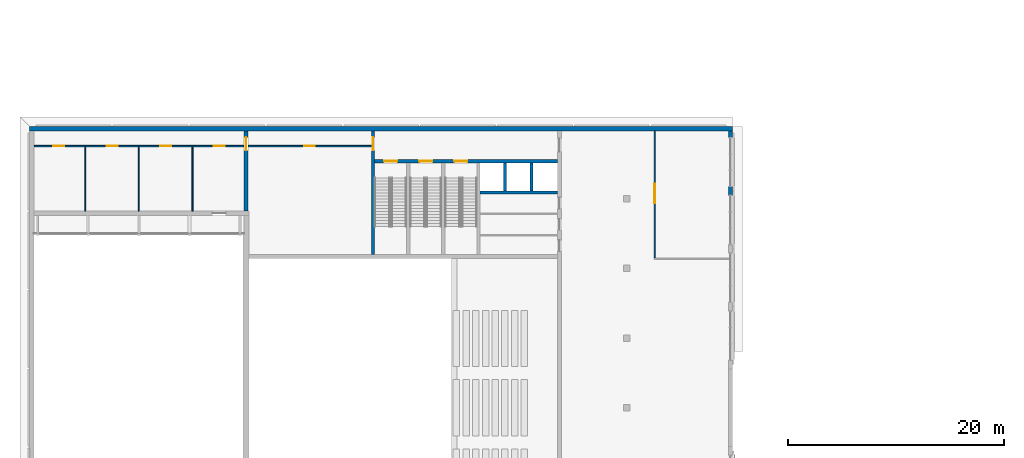
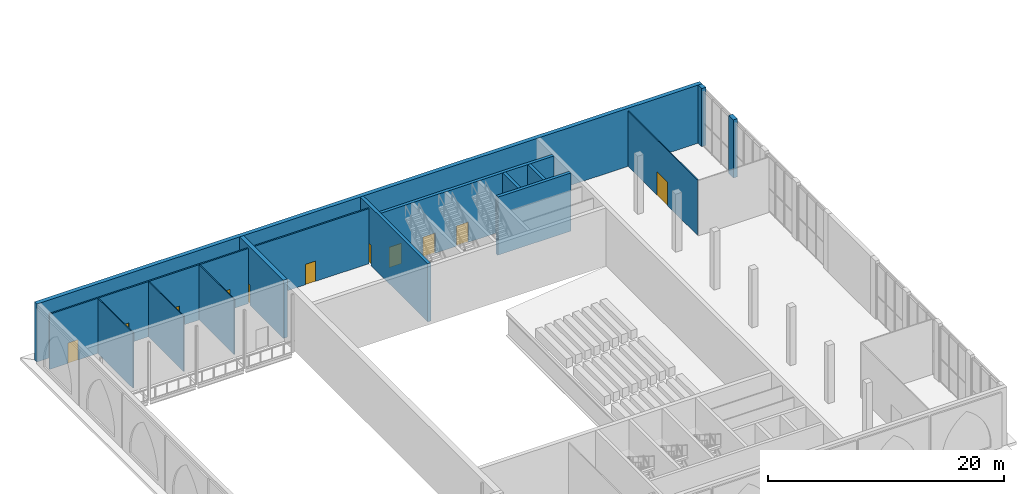
# One storey, part 21 of 74: 15 walls, 11 doors, 11 openings.
"""IFC4 building model written with IfcOpenShell, lengths in metres."""

import ifcopenshell
import ifcopenshell.guid

model = None  # the IFC model being written
_history = None  # IfcOwnerHistory: only IFC2X3 demands one
_inside = {}  # id of a spatial element -> (the spatial element, [elements in it])
_under = {}  # id of a project, library or spatial element -> (it, [spatial elements below it])
_declared = {}  # id of a project -> (the project, [libraries it declares])
_typed = {}  # id of a type object -> (the type object, [elements of that type])
_made_of = {}  # id of a material, layer set ... -> (it, [elements and type objects made of it])


def new_model(schema):
    """Start an empty IFC model of exactly this schema.

    Asked for "IFC4X3", IfcOpenShell would pick the latest addendum, in which some entities
    have other attributes; the version numbers below select the first issue.
    IFC2X3 requires an IfcOwnerHistory on every rooted entity: one is made here for all.
    """
    global model, _history
    if schema == "IFC4X3":
        model = ifcopenshell.file(schema_version=(4, 3, 0, 0))
    else:
        model = ifcopenshell.file(schema=schema)
    _inside.clear()
    _under.clear()
    _declared.clear()
    _typed.clear()
    _made_of.clear()
    _history = None
    if model.schema == "IFC2X3":
        org = make("IfcOrganization", Name="unknown")
        user = make(
            "IfcPersonAndOrganization",
            ThePerson=make("IfcPerson", FamilyName="unknown"),
            TheOrganization=org,
        )
        app = make(
            "IfcApplication",
            ApplicationDeveloper=org,
            Version="unknown",
            ApplicationFullName="unknown",
            ApplicationIdentifier="unknown",
        )
        _history = make(
            "IfcOwnerHistory",
            OwningUser=user,
            OwningApplication=app,
            ChangeAction="ADDED",
            CreationDate=0,
        )
    return model


def make(cls, **values):
    """One entity of the class cls with the attributes given. An attribute that is None is left unset."""
    return model.create_entity(
        cls, **{name: value for name, value in values.items() if value is not None}
    )


def rooted(cls, **values):
    """An entity with a GlobalId (a new one), such as an element, a storey or a relation."""
    return make(cls, GlobalId=ifcopenshell.guid.new(), OwnerHistory=_history, **values)


def si_unit(unit_type, name, prefix=None):
    """IfcSIUnit, for example si_unit("LENGTHUNIT", "METRE", prefix="MILLI")."""
    return make("IfcSIUnit", UnitType=unit_type, Prefix=prefix, Name=name)


def assignment(units):
    """IfcUnitAssignment: the units of a project."""
    return None if units is None else make("IfcUnitAssignment", Units=units)


def point(xyz):
    """IfcCartesianPoint."""
    return None if xyz is None else make("IfcCartesianPoint", Coordinates=xyz)


def direction(xyz):
    """IfcDirection."""
    return None if xyz is None else make("IfcDirection", DirectionRatios=xyz)


def frame(location, z_axis=None, x_axis=None):
    """IfcAxis2Placement3D, a coordinate frame: its origin and axes. An axis left out is left unset."""
    return make(
        "IfcAxis2Placement3D",
        Location=point(location),
        Axis=direction(z_axis),
        RefDirection=direction(x_axis),
    )


def frame_2d(location, x_axis=None):
    """IfcAxis2Placement2D, a coordinate frame in the plane: its origin and x axis."""
    return make(
        "IfcAxis2Placement2D", Location=point(location), RefDirection=direction(x_axis)
    )


def origin():
    """The frame at (0, 0, 0) with its axes left unset."""
    return frame((0.0, 0.0, 0.0))


def place(relative_to, where):
    """IfcLocalPlacement: puts the frame where relative to a parent placement (None: the world)."""
    return make(
        "IfcLocalPlacement", PlacementRelTo=relative_to, RelativePlacement=where
    )


def context(
    kind, dimensions, precision=None, world=None, true_north=None, identifier=None
):
    """IfcGeometricRepresentationContext, for example the 3D "Model" context."""
    return make(
        "IfcGeometricRepresentationContext",
        ContextIdentifier=identifier,
        ContextType=kind,
        CoordinateSpaceDimension=dimensions,
        Precision=precision,
        WorldCoordinateSystem=world,
        TrueNorth=true_north,
    )


def subcontext(parent, identifier, kind, view, scale=None):
    """IfcGeometricRepresentationSubContext, for example "Body" below "Model"."""
    return make(
        "IfcGeometricRepresentationSubContext",
        ContextIdentifier=identifier,
        ContextType=kind,
        ParentContext=parent,
        TargetScale=scale,
        TargetView=view,
    )


def project(units=None, contexts=None):
    """IfcProject with its units and contexts."""
    return rooted(
        "IfcProject",
        Name="project",
        RepresentationContexts=contexts,
        UnitsInContext=assignment(units),
    )


def spatial(cls, under=None, at=None, **own):
    """A site, building, storey or space (cls), placed at a placement, below another one or the project."""
    s = rooted(cls, ObjectPlacement=at, **own)
    if under is not None:
        _under.setdefault(under.id(), (under, []))[1].append(s)
    return s


def profile(cls, at=None, kind="AREA", **sizes):
    """A parametric profile (cls). Its sizes go by their IFC names, for example OverallWidth=200.0."""
    return make(cls, ProfileType=kind, Position=at, **sizes)


def rectangle(**sizes):
    """IfcRectangleProfileDef."""
    return profile("IfcRectangleProfileDef", **sizes)


def extrude(swept, where, along, depth):
    """IfcExtrudedAreaSolid: the profile swept, set in the frame where, extruded along a direction by depth."""
    return make(
        "IfcExtrudedAreaSolid",
        SweptArea=swept,
        Position=where,
        ExtrudedDirection=direction(along),
        Depth=depth,
    )


def shape(context_of_items, identifier, shape_type, items):
    """IfcShapeRepresentation: the items that make up one representation, for example the "Body"."""
    return make(
        "IfcShapeRepresentation",
        ContextOfItems=context_of_items,
        RepresentationIdentifier=identifier,
        RepresentationType=shape_type,
        Items=items,
    )


def material(Name=None, Category=None):
    """IfcMaterial."""
    return make("IfcMaterial", Name=Name, Category=Category)


def layer(
    of_material, thickness, ventilated=None, Name=None, Category=None, Priority=None
):
    """IfcMaterialLayer: one layer of a wall or slab, of a material (None: an air gap)."""
    return make(
        "IfcMaterialLayer",
        Material=of_material,
        LayerThickness=thickness,
        IsVentilated=ventilated,
        Name=Name,
        Category=Category,
        Priority=Priority,
    )


def layer_set(layers, Name=None):
    """IfcMaterialLayerSet."""
    return make("IfcMaterialLayerSet", MaterialLayers=layers, LayerSetName=Name)


def made_of(thing, what):
    """Note that an element or type object is made of a material, layer set ...; save() writes the relation."""
    if what is not None:
        _made_of.setdefault(what.id(), (what, []))[1].append(thing)
    return thing


def type_object(cls, material=None, **own):
    """A type object (cls), such as IfcWallType, which elements share."""
    return made_of(rooted(cls, **own), material)


def element(
    cls,
    number,
    at=None,
    inside=None,
    cuts=None,
    type_object=None,
    material=None,
    context=None,
    identifier="Body",
    shape_type=None,
    held_by="IfcProductDefinitionShape",
    body=None,
    shapes=None,
    **own,
):
    """One element of the class cls, such as IfcWall. Its Tag is "e" and its number.

    at: its placement. inside: the storey or other place that contains it. cuts: it is an
    opening in that element (IfcRelVoidsElement). A single representation is given by context,
    identifier, shape_type and body (its items); several are given by shapes. held_by: the class
    of the entity that holds the representations. save() writes the other relations.
    """
    e = rooted(cls, Tag="e%d" % number, ObjectPlacement=at, **own)
    if body is not None:
        shapes = [shape(context, identifier, shape_type, body)]
    if shapes is not None:
        e.Representation = make(held_by, Representations=shapes)
    if inside is not None:
        _inside.setdefault(inside.id(), (inside, []))[1].append(e)
    if cuts is not None:
        rooted(
            "IfcRelVoidsElement", RelatingBuildingElement=cuts, RelatedOpeningElement=e
        )
    if type_object is not None:
        _typed.setdefault(type_object.id(), (type_object, []))[1].append(e)
    return made_of(e, material)


def fill(opening, filler):
    """IfcRelFillsElement: the door or window that sits in an opening."""
    return rooted(
        "IfcRelFillsElement",
        RelatingOpeningElement=opening,
        RelatedBuildingElement=filler,
    )


def aggregate(whole, parts):
    """IfcRelAggregates: a whole, such as a stair, and the parts it consists of."""
    return rooted("IfcRelAggregates", RelatingObject=whole, RelatedObjects=parts)


def save(model, path):
    """Write the relations noted so far, then the file.

    IfcRelAggregates (storeys below a building ...), IfcRelContainedInSpatialStructure (elements
    in a storey), IfcRelDefinesByType, IfcRelAssociatesMaterial and IfcRelDeclares: one each for
    every whole, place, type object, material and project.
    """
    for whole, parts in _under.values():
        aggregate(whole, parts)
    for where, things in _inside.values():
        rooted(
            "IfcRelContainedInSpatialStructure",
            RelatedElements=things,
            RelatingStructure=where,
        )
    for kind, things in _typed.values():
        rooted("IfcRelDefinesByType", RelatedObjects=things, RelatingType=kind)
    for what, things in _made_of.values():
        rooted("IfcRelAssociatesMaterial", RelatedObjects=things, RelatingMaterial=what)
    for by, libraries in _declared.values():
        rooted("IfcRelDeclares", RelatingContext=by, RelatedDefinitions=libraries)
    model.write(path)


model = new_model("IFC4")

# Units and contexts
model_context = context("Model", 3, precision=1e-05, world=origin(), true_north=direction((0.0, 1.0)))
body_context = subcontext(model_context, "Body", "Model", "MODEL_VIEW")
ifc_project = project(units=[si_unit("LENGTHUNIT", "METRE"), si_unit("AREAUNIT", "SQUARE_METRE"), si_unit("VOLUMEUNIT", "CUBIC_METRE"), si_unit("PLANEANGLEUNIT", "RADIAN"), si_unit("MASSUNIT", "GRAM", prefix="KILO")], contexts=[model_context])

# Site, building, storey
site_placement = place(None, origin())
site = spatial("IfcSite", under=ifc_project, at=site_placement, CompositionType="ELEMENT")
building_placement = place(site_placement, origin())
building = spatial("IfcBuilding", under=site, at=building_placement, Name="Noorbagh Ring Tower", CompositionType="ELEMENT")
storey_placement = place(building_placement, frame((0.0, 0.0, 7.5)))
storey = spatial("IfcBuildingStorey", under=building, at=storey_placement, Name="L01", CompositionType="ELEMENT", Elevation=7.5)

# Walls
ifc_material_1 = material(Name="Gypsum board on steel studs", Category="steel")
ifc_layer_1 = layer(ifc_material_1, 0.10009765625)
ifc_layer_set_1 = layer_set([ifc_layer_1], Name="Gypsum board on steel studs")
wall_type_1 = type_object("IfcWallType", Name="TH-PART-100", PredefinedType="PARTITIONING", material=ifc_layer_set_1)
for number, where, z_axis, x_axis, name in (
    (1, (-154.85009765625, 23.199951171875, 0.0), (0.0, 0.0, 1.0), (0.0, 1.0, 0.0), "L01/th-wall/057"),
    (2, (-149.89990234375, 23.199951171875, 0.0), (0.0, 0.0, 1.0), (0.0, 1.0, 0.0), "L01/th-wall/059"),
    (3, (-144.949951171875, 23.199951171875, 0.0), (0.0, 0.0, 1.0), (0.0, 1.0, 0.0), "L01/th-wall/061"),
):
    element("IfcWall", number, at=place(storey_placement, frame(where, z_axis=z_axis, x_axis=x_axis)), inside=storey, type_object=wall_type_1, Name=name, PredefinedType="PARTITIONING", context=body_context, shape_type="SweptSolid", body=[
        extrude(rectangle(XDim=5.925048828125, YDim=0.10009765625, at=frame_2d((2.96240234375, 0.0))), origin(), (0.0, 0.0, 1.0), 5.699951171875),
    ])

# Wall, opening, door
wall_1_placement = place(storey_placement, frame((-102.199951171875, 18.85009765625, 0.0), z_axis=(0.0, 0.0, 1.0), x_axis=(0.0, 1.0, 0.0)))
wall_1 = element("IfcWall", 4, at=wall_1_placement, inside=storey, type_object=wall_type_1, Name="L01/th-wall/065", PredefinedType="PARTITIONING", context=body_context, shape_type="SweptSolid", body=[
    extrude(rectangle(XDim=11.75, YDim=0.10009765625, at=frame_2d((5.875, 0.0))), origin(), (0.0, 0.0, 1.0), 5.699951171875),
])
opening_1_placement = place(wall_1_placement, frame((5.050048828125, 0.0, 0.0)))
opening_1 = element("IfcOpeningElement", 5, at=opening_1_placement, cuts=wall_1, Name="Opening TL01-D26", PredefinedType="OPENING", context=body_context, shape_type="SweptSolid", body=[
    extrude(rectangle(XDim=1.800048828125, YDim=2.39990234375, at=frame_2d((0.89990234375, 1.199951171875))), frame((0.0, 0.06005859375, 0.0), z_axis=(0.0, -1.0, 0.0), x_axis=(1.0, 0.0, 0.0)), (0.0, 0.0, 1.0), 0.1201171875),
])
ifc_material_2 = material(Name="Timber", Category="wood")
door_type_1 = type_object("IfcDoorType", Name="TH-DOOR-DBL-1800", OperationType="DOUBLE_DOOR_SINGLE_SWING", PredefinedType="DOOR", material=ifc_material_2)
door_1_placement = place(opening_1_placement, origin())
door_1 = element("IfcDoor", 6, at=door_1_placement, inside=storey, type_object=door_type_1, Name="Door Circle foyer to Circle bar TL01-D26", OperationType="DOUBLE_DOOR_SINGLE_SWING", OverallHeight=2.39990234375, OverallWidth=1.800048828125, PredefinedType="DOOR", context=body_context, shape_type="SweptSolid", body=[
    extrude(rectangle(XDim=1.800048828125, YDim=2.39990234375, at=frame_2d((0.89990234375, 1.199951171875))), frame((0.0, 0.02490234375, 0.0), z_axis=(0.0, -1.0, 0.0), x_axis=(1.0, 0.0, 0.0)), (0.0, 0.0, 1.0), 0.050048828125),
])
fill(opening_1, door_1)

# Wall, openings, doors
ifc_material_3 = material(Name="Gypsum board on steel studs", Category="steel")
ifc_layer_2 = layer(ifc_material_3, 0.14990234375)
ifc_layer_set_2 = layer_set([ifc_layer_2], Name="Gypsum board on steel studs")
wall_type_2 = type_object("IfcWallType", Name="TH-PART-150", PredefinedType="PARTITIONING", material=ifc_layer_set_2)
wall_2_placement = place(storey_placement, frame((-159.60009765625, 29.199951171875, 0.0), z_axis=(0.0, 0.0, 1.0), x_axis=(1.0, 0.0, 0.0)))
wall_2 = element("IfcWall", 7, at=wall_2_placement, inside=storey, type_object=wall_type_2, Name="L01/th-wall/054", PredefinedType="PARTITIONING", context=body_context, shape_type="SweptSolid", body=[
    extrude(rectangle(XDim=19.400146484375, YDim=0.14990234375, at=frame_2d((9.7001953125, 0.0))), origin(), (0.0, 0.0, 1.0), 5.699951171875),
])
opening_2_placement = place(wall_2_placement, frame((1.77490234375, 0.0, 0.0)))
opening_2 = element("IfcOpeningElement", 8, at=opening_2_placement, cuts=wall_2, Name="Opening TL01-D13", PredefinedType="OPENING", context=body_context, shape_type="SweptSolid", body=[
    extrude(rectangle(XDim=1.0, YDim=2.10009765625, at=frame_2d((0.5, 1.050048828125))), frame((0.0, 0.0849609375, 0.0), z_axis=(0.0, -1.0, 0.0), x_axis=(1.0, 0.0, 0.0)), (0.0, 0.0, 1.0), 0.169921875),
])
opening_3_placement = place(wall_2_placement, frame((6.72509765625, 0.0, 0.0)))
opening_3 = element("IfcOpeningElement", 9, at=opening_3_placement, cuts=wall_2, Name="Opening TL01-D14", PredefinedType="OPENING", context=body_context, shape_type="SweptSolid", body=[
    extrude(rectangle(XDim=1.0, YDim=2.10009765625, at=frame_2d((0.5, 1.050048828125))), frame((0.0, 0.0849609375, 0.0), z_axis=(0.0, -1.0, 0.0), x_axis=(1.0, 0.0, 0.0)), (0.0, 0.0, 1.0), 0.169921875),
])
opening_4_placement = place(wall_2_placement, frame((11.675048828125, 0.0, 0.0)))
opening_4 = element("IfcOpeningElement", 10, at=opening_4_placement, cuts=wall_2, Name="Opening TL01-D15", PredefinedType="OPENING", context=body_context, shape_type="SweptSolid", body=[
    extrude(rectangle(XDim=1.0, YDim=2.10009765625, at=frame_2d((0.5, 1.050048828125))), frame((0.0, 0.0849609375, 0.0), z_axis=(0.0, -1.0, 0.0), x_axis=(1.0, 0.0, 0.0)), (0.0, 0.0, 1.0), 0.169921875),
])
opening_5_placement = place(wall_2_placement, frame((16.625, 0.0, 0.0)))
opening_5 = element("IfcOpeningElement", 11, at=opening_5_placement, cuts=wall_2, Name="Opening TL01-D16", PredefinedType="OPENING", context=body_context, shape_type="SweptSolid", body=[
    extrude(rectangle(XDim=1.0, YDim=2.10009765625, at=frame_2d((0.5, 1.050048828125))), frame((0.0, 0.0849609375, 0.0), z_axis=(0.0, -1.0, 0.0), x_axis=(1.0, 0.0, 0.0)), (0.0, 0.0, 1.0), 0.169921875),
])
ifc_material_4 = material(Name="Timber", Category="wood")
door_type_2 = type_object("IfcDoorType", Name="TH-DOOR-1000", OperationType="SINGLE_SWING_LEFT", PredefinedType="DOOR", material=ifc_material_4)
door_2_placement = place(opening_2_placement, origin())
door_2 = element("IfcDoor", 12, at=door_2_placement, inside=storey, type_object=door_type_2, Name="Door Corridor to Costume workshop TL01-D13", OperationType="SINGLE_SWING_LEFT", OverallHeight=2.10009765625, OverallWidth=1.0, PredefinedType="DOOR", context=body_context, shape_type="SweptSolid", body=[
    extrude(rectangle(XDim=1.0, YDim=2.10009765625, at=frame_2d((0.5, 1.050048828125))), frame((0.0, 0.02490234375, 0.0), z_axis=(0.0, -1.0, 0.0), x_axis=(1.0, 0.0, 0.0)), (0.0, 0.0, 1.0), 0.050048828125),
])
fill(opening_2, door_2)
door_3_placement = place(opening_3_placement, origin())
door_3 = element("IfcDoor", 13, at=door_3_placement, inside=storey, type_object=door_type_2, Name="Door Corridor to Millinery workshop TL01-D14", OperationType="SINGLE_SWING_LEFT", OverallHeight=2.10009765625, OverallWidth=1.0, PredefinedType="DOOR", context=body_context, shape_type="SweptSolid", body=[
    extrude(rectangle(XDim=1.0, YDim=2.10009765625, at=frame_2d((0.5, 1.050048828125))), frame((0.0, 0.02490234375, 0.0), z_axis=(0.0, -1.0, 0.0), x_axis=(1.0, 0.0, 0.0)), (0.0, 0.0, 1.0), 0.050048828125),
])
fill(opening_3, door_3)
door_4_placement = place(opening_4_placement, origin())
door_4 = element("IfcDoor", 14, at=door_4_placement, inside=storey, type_object=door_type_2, Name="Door Corridor to Wig and make-up room TL01-D15", OperationType="SINGLE_SWING_RIGHT", OverallHeight=2.10009765625, OverallWidth=1.0, PredefinedType="DOOR", context=body_context, shape_type="SweptSolid", body=[
    extrude(rectangle(XDim=1.0, YDim=2.10009765625, at=frame_2d((0.5, 1.050048828125))), frame((0.0, 0.02490234375, 0.0), z_axis=(0.0, -1.0, 0.0), x_axis=(1.0, 0.0, 0.0)), (0.0, 0.0, 1.0), 0.050048828125),
])
fill(opening_4, door_4)
ifc_material_5 = material(Name="Steel", Category="steel")
door_type_3 = type_object("IfcDoorType", Name="TH-DOOR-FIRE-1000", OperationType="SINGLE_SWING_LEFT", PredefinedType="DOOR", material=ifc_material_5)
door_5_placement = place(opening_5_placement, origin())
door_5 = element("IfcDoor", 15, at=door_5_placement, inside=storey, type_object=door_type_3, Name="Door Corridor to Fly gallery lobby north TL01-D16", OperationType="SINGLE_SWING_RIGHT", OverallHeight=2.10009765625, OverallWidth=1.0, PredefinedType="DOOR", context=body_context, shape_type="SweptSolid", body=[
    extrude(rectangle(XDim=1.0, YDim=2.10009765625, at=frame_2d((0.5, 1.050048828125))), frame((0.0, 0.02490234375, 0.0), z_axis=(0.0, -1.0, 0.0), x_axis=(1.0, 0.0, 0.0)), (0.0, 0.0, 1.0), 0.050048828125),
])
fill(opening_5, door_5)

# Wall, opening, door
wall_3_placement = place(storey_placement, frame((-139.800048828125, 29.199951171875, 0.0), z_axis=(0.0, 0.0, 1.0), x_axis=(1.0, 0.0, 0.0)))
wall_3 = element("IfcWall", 16, at=wall_3_placement, inside=storey, type_object=wall_type_2, Name="L01/th-wall/055", PredefinedType="PARTITIONING", context=body_context, shape_type="SweptSolid", body=[
    extrude(rectangle(XDim=11.400146484375, YDim=0.14990234375, at=frame_2d((5.7001953125, 0.0))), origin(), (0.0, 0.0, 1.0), 5.699951171875),
])
opening_6_placement = place(wall_3_placement, frame((5.175048828125, 0.0, 0.0)))
opening_6 = element("IfcOpeningElement", 17, at=opening_6_placement, cuts=wall_3, Name="Opening TL01-D17", PredefinedType="OPENING", context=body_context, shape_type="SweptSolid", body=[
    extrude(rectangle(XDim=1.0, YDim=2.10009765625, at=frame_2d((0.5, 1.050048828125))), frame((0.0, 0.0849609375, 0.0), z_axis=(0.0, -1.0, 0.0), x_axis=(1.0, 0.0, 0.0)), (0.0, 0.0, 1.0), 0.169921875),
])
door_6_placement = place(opening_6_placement, origin())
door_6 = element("IfcDoor", 18, at=door_6_placement, inside=storey, type_object=door_type_2, Name="Door Corridor to Studio theatre TL01-D17", OperationType="SINGLE_SWING_LEFT", OverallHeight=2.10009765625, OverallWidth=1.0, PredefinedType="DOOR", context=body_context, shape_type="SweptSolid", body=[
    extrude(rectangle(XDim=1.0, YDim=2.10009765625, at=frame_2d((0.5, 1.050048828125))), frame((0.0, 0.02490234375, 0.0), z_axis=(0.0, -1.0, 0.0), x_axis=(1.0, 0.0, 0.0)), (0.0, 0.0, 1.0), 0.050048828125),
])
fill(opening_6, door_6)

ifc_material_6 = material(Name="Concrete C50/60", Category="concrete")
ifc_layer_3 = layer(ifc_material_6, 0.300048828125)
ifc_layer_set_3 = layer_set([ifc_layer_3], Name="Concrete C50/60")
wall_type_3 = type_object("IfcWallType", Name="TH-WALL-CORE", PredefinedType="SHEAR", material=ifc_layer_set_3)
wall_4_placement = place(storey_placement, frame((-128.25, 19.199951171875, 0.0), z_axis=(0.0, 0.0, 1.0), x_axis=(0.0, 1.0, 0.0)))
wall_4 = element("IfcWall", 19, at=wall_4_placement, inside=storey, type_object=wall_type_3, Name="Core wall", PredefinedType="SHEAR", context=body_context, shape_type="SweptSolid", body=[
    extrude(rectangle(XDim=11.400146484375, YDim=0.300048828125, at=frame_2d((5.7001953125, 0.0))), origin(), (0.0, 0.0, 1.0), 6.0),
])
opening_7_placement = place(wall_4_placement, frame((9.60009765625, 0.0, 0.0)))
opening_7 = element("IfcOpeningElement", 20, at=opening_7_placement, cuts=wall_4, Name="Opening TL01-D19", PredefinedType="OPENING", context=body_context, shape_type="SweptSolid", body=[
    extrude(rectangle(XDim=1.199951171875, YDim=2.10009765625, at=frame_2d((0.60009765625, 1.050048828125))), frame((0.0, 0.16015625, 0.0), z_axis=(0.0, -1.0, 0.0), x_axis=(1.0, 0.0, 0.0)), (0.0, 0.0, 1.0), 0.320068359375),
])
ifc_material_7 = material(Name="Steel", Category="steel")
door_type_4 = type_object("IfcDoorType", Name="TH-DOOR-FIRE-1200", OperationType="SINGLE_SWING_LEFT", PredefinedType="DOOR", material=ifc_material_7)
door_7_placement = place(opening_7_placement, origin())
door_7 = element("IfcDoor", 21, at=door_7_placement, inside=storey, type_object=door_type_4, Name="Door Corridor to Exit lobby TL01-D19", OperationType="SINGLE_SWING_RIGHT", OverallHeight=2.10009765625, OverallWidth=1.199951171875, PredefinedType="DOOR", context=body_context, shape_type="SweptSolid", body=[
    extrude(rectangle(XDim=1.199951171875, YDim=2.10009765625, at=frame_2d((0.60009765625, 1.050048828125))), frame((0.0, 0.02490234375, 0.0), z_axis=(0.0, -1.0, 0.0), x_axis=(1.0, 0.0, 0.0)), (0.0, 0.0, 1.0), 0.050048828125),
])
fill(opening_7, door_7)

# Wall, openings, doors
wall_5_placement = place(storey_placement, frame((-128.10009765625, 27.800048828125, 0.0), z_axis=(0.0, 0.0, 1.0), x_axis=(1.0, 0.0, 0.0)))
wall_5 = element("IfcWall", 22, at=wall_5_placement, inside=storey, type_object=wall_type_3, Name="Exit lobby wall", PredefinedType="SHEAR", context=body_context, shape_type="SweptSolid", body=[
    extrude(rectangle(XDim=16.900146484375, YDim=0.300048828125, at=frame_2d((8.4501953125, 0.0))), origin(), (0.0, 0.0, 1.0), 6.0),
])
opening_8_placement = place(wall_5_placement, frame((4.125, 0.0, 0.0)))
opening_8 = element("IfcOpeningElement", 23, at=opening_8_placement, cuts=wall_5, Name="Opening TL01-D20", PredefinedType="OPENING", context=body_context, shape_type="SweptSolid", body=[
    extrude(rectangle(XDim=1.199951171875, YDim=2.10009765625, at=frame_2d((0.60009765625, 1.050048828125))), frame((0.0, 0.16015625, 0.0), z_axis=(0.0, -1.0, 0.0), x_axis=(1.0, 0.0, 0.0)), (0.0, 0.0, 1.0), 0.320068359375),
])
opening_9_placement = place(wall_5_placement, frame((7.375, 0.0, 0.0)))
opening_9 = element("IfcOpeningElement", 24, at=opening_9_placement, cuts=wall_5, Name="Opening TL01-D21", PredefinedType="OPENING", context=body_context, shape_type="SweptSolid", body=[
    extrude(rectangle(XDim=1.199951171875, YDim=2.10009765625, at=frame_2d((0.60009765625, 1.050048828125))), frame((0.0, 0.16015625, 0.0), z_axis=(0.0, -1.0, 0.0), x_axis=(1.0, 0.0, 0.0)), (0.0, 0.0, 1.0), 0.320068359375),
])
opening_10_placement = place(wall_5_placement, frame((0.875, 0.0, 0.0)))
opening_10 = element("IfcOpeningElement", 25, at=opening_10_placement, cuts=wall_5, Name="Opening TL01-D22", PredefinedType="OPENING", context=body_context, shape_type="SweptSolid", body=[
    extrude(rectangle(XDim=1.199951171875, YDim=2.10009765625, at=frame_2d((0.60009765625, 1.050048828125))), frame((0.0, 0.16015625, 0.0), z_axis=(0.0, -1.0, 0.0), x_axis=(1.0, 0.0, 0.0)), (0.0, 0.0, 1.0), 0.320068359375),
])
ifc_material_8 = material(Name="Steel", Category="steel")
door_type_5 = type_object("IfcDoorType", Name="TH-DOOR-STAIR-1200", OperationType="SINGLE_SWING_LEFT", PredefinedType="DOOR", material=ifc_material_8)
door_8_placement = place(opening_8_placement, origin())
door_8 = element("IfcDoor", 26, at=door_8_placement, inside=storey, type_object=door_type_5, Name="Door Exit lobby to Exit stair N1 TL01-D20", OperationType="SINGLE_SWING_LEFT", OverallHeight=2.10009765625, OverallWidth=1.199951171875, PredefinedType="DOOR", context=body_context, shape_type="SweptSolid", body=[
    extrude(rectangle(XDim=1.199951171875, YDim=2.10009765625, at=frame_2d((0.60009765625, 1.050048828125))), frame((0.0, 0.02490234375, 0.0), z_axis=(0.0, -1.0, 0.0), x_axis=(1.0, 0.0, 0.0)), (0.0, 0.0, 1.0), 0.050048828125),
])
fill(opening_8, door_8)
door_9_placement = place(opening_9_placement, origin())
door_9 = element("IfcDoor", 27, at=door_9_placement, inside=storey, type_object=door_type_5, Name="Door Exit lobby to Exit stair N2 TL01-D21", OperationType="SINGLE_SWING_LEFT", OverallHeight=2.10009765625, OverallWidth=1.199951171875, PredefinedType="DOOR", context=body_context, shape_type="SweptSolid", body=[
    extrude(rectangle(XDim=1.199951171875, YDim=2.10009765625, at=frame_2d((0.60009765625, 1.050048828125))), frame((0.0, 0.02490234375, 0.0), z_axis=(0.0, -1.0, 0.0), x_axis=(1.0, 0.0, 0.0)), (0.0, 0.0, 1.0), 0.050048828125),
])
fill(opening_9, door_9)
door_10_placement = place(opening_10_placement, origin())
door_10 = element("IfcDoor", 28, at=door_10_placement, inside=storey, type_object=door_type_5, Name="Door Exit lobby to Exit stair N3 TL01-D22", OperationType="SINGLE_SWING_LEFT", OverallHeight=2.10009765625, OverallWidth=1.199951171875, PredefinedType="DOOR", context=body_context, shape_type="SweptSolid", body=[
    extrude(rectangle(XDim=1.199951171875, YDim=2.10009765625, at=frame_2d((0.60009765625, 1.050048828125))), frame((0.0, 0.02490234375, 0.0), z_axis=(0.0, -1.0, 0.0), x_axis=(1.0, 0.0, 0.0)), (0.0, 0.0, 1.0), 0.050048828125),
])
fill(opening_10, door_10)

# Walls
wall_6_placement = place(storey_placement, frame((-118.35009765625, 24.89990234375, 0.0), z_axis=(0.0, 0.0, 1.0), x_axis=(1.0, 0.0, 0.0)))
element("IfcWall", 29, at=wall_6_placement, inside=storey, type_object=wall_type_3, Name="Lift shaft wall", PredefinedType="SHEAR", context=body_context, shape_type="SweptSolid", body=[
    extrude(rectangle(XDim=7.150146484375, YDim=0.300048828125, at=frame_2d((3.5751953125, 0.0))), origin(), (0.0, 0.0, 1.0), 6.0),
])
for number, where, z_axis, x_axis, name in (
    (30, (-116.050048828125, 25.050048828125, 0.0), (0.0, 0.0, 1.0), (0.0, 1.0, 0.0), "Lift shaft wall"),
    (31, (-113.60009765625, 25.050048828125, 0.0), (0.0, 0.0, 1.0), (0.0, 1.0, 0.0), "Lift shaft wall"),
):
    element("IfcWall", number, at=place(storey_placement, frame(where, z_axis=z_axis, x_axis=x_axis)), inside=storey, type_object=wall_type_3, Name=name, PredefinedType="SHEAR", context=body_context, shape_type="SweptSolid", body=[
        extrude(rectangle(XDim=2.599853515625, YDim=0.300048828125, at=frame_2d((1.2998046875, 0.0))), origin(), (0.0, 0.0, 1.0), 6.0),
    ])

# Wall, opening, door
ifc_material_9 = material(Name="Concrete C40/50", Category="concrete")
ifc_layer_4 = layer(ifc_material_9, 0.39990234375)
ifc_layer_set_4 = layer_set([ifc_layer_4], Name="Concrete C40/50")
wall_type_4 = type_object("IfcWallType", Name="TH-WALL-INNER", PredefinedType="SOLIDWALL", material=ifc_layer_set_4)
wall_7_placement = place(storey_placement, frame((-140.0, 23.199951171875, 0.0), z_axis=(0.0, 0.0, 1.0), x_axis=(0.0, 1.0, 0.0)))
wall_7 = element("IfcWall", 32, at=wall_7_placement, inside=storey, type_object=wall_type_4, Name="Stage block wall", PredefinedType="SOLIDWALL", context=body_context, shape_type="SweptSolid", body=[
    extrude(rectangle(XDim=7.400146484375, YDim=0.39990234375, at=frame_2d((3.7001953125, 0.0))), origin(), (0.0, 0.0, 1.0), 6.0),
])
opening_11_placement = place(wall_7_placement, frame((5.60009765625, 0.0, 0.0)))
opening_11 = element("IfcOpeningElement", 33, at=opening_11_placement, cuts=wall_7, Name="Opening TL01-D18", PredefinedType="OPENING", context=body_context, shape_type="SweptSolid", body=[
    extrude(rectangle(XDim=1.199951171875, YDim=2.10009765625, at=frame_2d((0.60009765625, 1.050048828125))), frame((0.0, 0.2099609375, 0.0), z_axis=(0.0, -1.0, 0.0), x_axis=(1.0, 0.0, 0.0)), (0.0, 0.0, 1.0), 0.419921875),
])
ifc_material_10 = material(Name="Timber", Category="wood")
door_type_6 = type_object("IfcDoorType", Name="TH-DOOR-1200", OperationType="SINGLE_SWING_LEFT", PredefinedType="DOOR", material=ifc_material_10)
door_11_placement = place(opening_11_placement, origin())
door_11 = element("IfcDoor", 34, at=door_11_placement, inside=storey, type_object=door_type_6, Name="Door Corridor to Corridor TL01-D18", OperationType="SINGLE_SWING_RIGHT", OverallHeight=2.10009765625, OverallWidth=1.199951171875, PredefinedType="DOOR", context=body_context, shape_type="SweptSolid", body=[
    extrude(rectangle(XDim=1.199951171875, YDim=2.10009765625, at=frame_2d((0.60009765625, 1.050048828125))), frame((0.0, 0.02490234375, 0.0), z_axis=(0.0, -1.0, 0.0), x_axis=(1.0, 0.0, 0.0)), (0.0, 0.0, 1.0), 0.050048828125),
])
fill(opening_11, door_11)

# Walls
ifc_material_11 = material(Name="Concrete C40/50", Category="concrete")
ifc_layer_5 = layer(ifc_material_11, 0.39990234375)
ifc_layer_set_5 = layer_set([ifc_layer_5], Name="Concrete C40/50")
wall_type_5 = type_object("IfcWallType", Name="TH-WALL-OUTER", PredefinedType="SOLIDWALL", material=ifc_layer_set_5)
wall_8_placement = place(storey_placement, frame((-160.0, 30.800048828125, 0.0), z_axis=(0.0, 0.0, 1.0), x_axis=(1.0, 0.0, 0.0)))
element("IfcWall", 35, at=wall_8_placement, inside=storey, type_object=wall_type_5, Name="Outer wall north", PredefinedType="SOLIDWALL", context=body_context, shape_type="SweptSolid", body=[
    extrude(rectangle(XDim=65.0, YDim=0.39990234375, at=frame_2d((32.5, 0.0))), origin(), (0.0, 0.0, 1.0), 6.0),
])
wall_9_placement = place(storey_placement, frame((-95.199951171875, 24.64990234375, 0.0), z_axis=(0.0, 0.0, 1.0), x_axis=(0.0, 1.0, 0.0)))
element("IfcWall", 36, at=wall_9_placement, inside=storey, type_object=wall_type_5, Name="Foyer pier", PredefinedType="SOLIDWALL", context=body_context, shape_type="SweptSolid", body=[
    extrude(rectangle(XDim=0.800048828125, YDim=0.39990234375, at=frame_2d((0.39990234375, 0.0))), origin(), (0.0, 0.0, 1.0), 6.0),
])
wall_10_placement = place(storey_placement, frame((-95.199951171875, 30.0, 0.0), z_axis=(0.0, 0.0, 1.0), x_axis=(0.0, 1.0, 0.0)))
element("IfcWall", 37, at=wall_10_placement, inside=storey, type_object=wall_type_5, Name="Foyer pier", PredefinedType="SOLIDWALL", context=body_context, shape_type="SweptSolid", body=[
    extrude(rectangle(XDim=0.60009765625, YDim=0.39990234375, at=frame_2d((0.300048828125, 0.0))), origin(), (0.0, 0.0, 1.0), 6.0),
])

save(model, "model.ifc")
